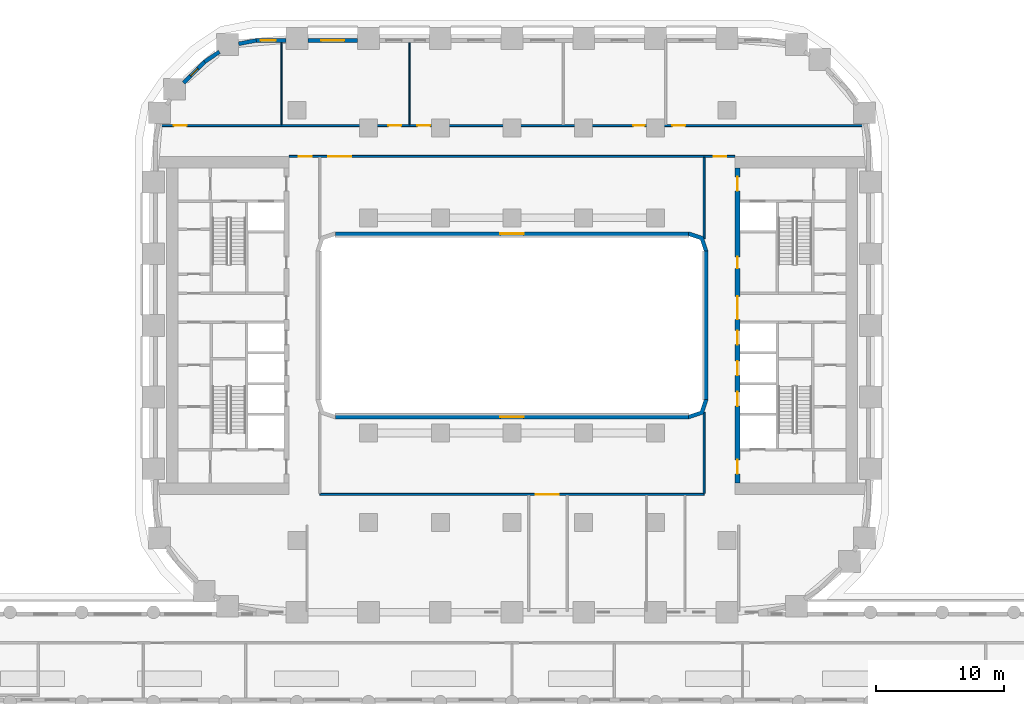
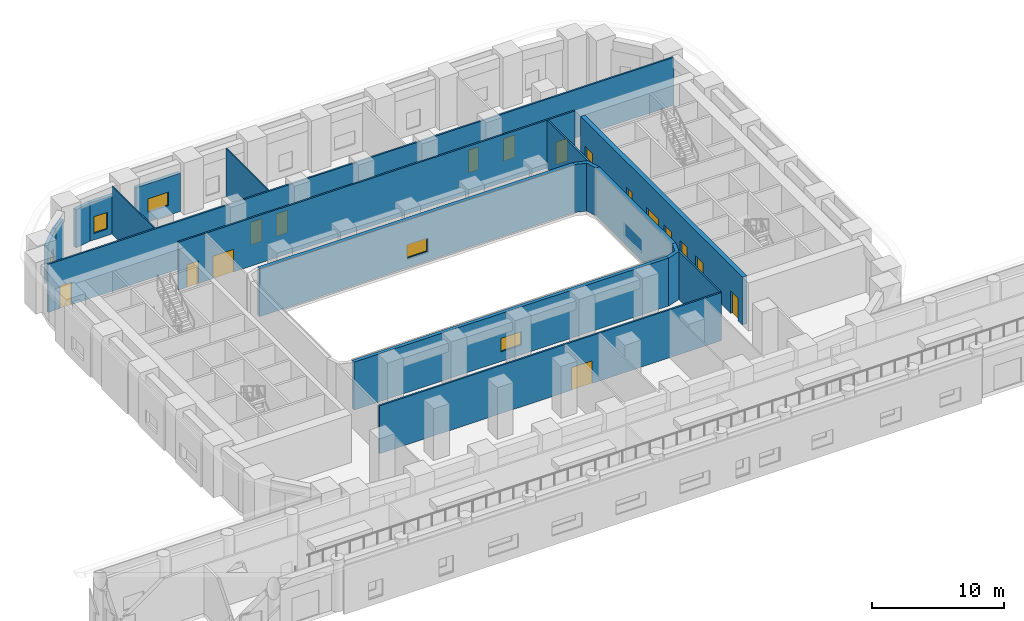
# One storey, part 6 of 13: 18 walls, 16 doors, 5 windows, 21 openings.
"""IFC4 building model written with IfcOpenShell, lengths in metres."""

from ifc_helpers import new_model, si_unit, direction, frame, frame_2d, origin, place, context, subcontext, project, spatial, polyline, rectangle, outline, extrude, material, layer, layer_set, type_object, element, fill, save


model = new_model("IFC4")

# Units and contexts
model_context = context("Model", 3, precision=1e-05, world=origin(), true_north=direction((0.0, 1.0)))
body_context = subcontext(model_context, "Body", "Model", "MODEL_VIEW")
ifc_project = project(units=[si_unit("LENGTHUNIT", "METRE"), si_unit("AREAUNIT", "SQUARE_METRE"), si_unit("VOLUMEUNIT", "CUBIC_METRE"), si_unit("PLANEANGLEUNIT", "RADIAN"), si_unit("MASSUNIT", "GRAM", prefix="KILO")], contexts=[model_context])

# Site, building, storey
site_placement = place(None, origin())
site = spatial("IfcSite", under=ifc_project, at=site_placement, CompositionType="ELEMENT")
building_placement = place(site_placement, origin())
building = spatial("IfcBuilding", under=site, at=building_placement, Name="Kiln Ring Residences", CompositionType="ELEMENT")
storey_placement = place(building_placement, frame((0.0, 0.0, 25.699951171875)))
storey = spatial("IfcBuildingStorey", under=building, at=storey_placement, Name="L05", CompositionType="ELEMENT", Elevation=25.699951171875)

# Wall, openings, doors
ifc_material_1 = material(Name="Concrete C60/75", Category="concrete")
ifc_layer_1 = layer(ifc_material_1, 0.39990234375)
ifc_layer_set_1 = layer_set([ifc_layer_1], Name="CORE-WALL-RC400")
wall_type_1 = type_object("IfcWallType", Name="CORE-WALL-RC400", PredefinedType="SHEAR", material=ifc_layer_set_1)
wall_1_placement = place(storey_placement, frame((17.60009765625, -12.300048828125, 0.0), z_axis=(0.0, 0.0, 1.0), x_axis=(0.0, 1.0, 0.0)))
wall_1 = element("IfcWall", 1, at=wall_1_placement, inside=storey, type_object=wall_type_1, Name="Core wall east L05 6", PredefinedType="SHEAR", context=body_context, shape_type="SweptSolid", body=[
    extrude(rectangle(XDim=24.60009765625, YDim=0.39990234375, at=frame_2d((12.300048828125, 0.0))), origin(), (0.0, 0.0, 1.0), 4.449951171875),
])
opening_1_placement = place(wall_1_placement, frame((6.0, 0.0, 0.0)))
opening_1 = element("IfcOpeningElement", 2, at=opening_1_placement, cuts=wall_1, Name="Opening L05-CE02", PredefinedType="OPENING", context=body_context, shape_type="SweptSolid", body=[
    extrude(rectangle(XDim=1.10009765625, YDim=2.10009765625, at=frame_2d((0.550048828125, 1.050048828125))), frame((0.0, 0.2099609375, 0.0), z_axis=(0.0, -1.0, 0.0), x_axis=(1.0, 0.0, 0.0)), (0.0, 0.0, 1.0), 0.419921875),
])
opening_2_placement = place(wall_1_placement, frame((8.39990234375, 0.0, 0.0)))
opening_2 = element("IfcOpeningElement", 3, at=opening_2_placement, cuts=wall_1, Name="Opening L05-CE03", PredefinedType="OPENING", context=body_context, shape_type="SweptSolid", body=[
    extrude(rectangle(XDim=1.10009765625, YDim=2.10009765625, at=frame_2d((0.550048828125, 1.050048828125))), frame((0.0, 0.2099609375, 0.0), z_axis=(0.0, -1.0, 0.0), x_axis=(1.0, 0.0, 0.0)), (0.0, 0.0, 1.0), 0.419921875),
])
opening_3_placement = place(wall_1_placement, frame((10.800048828125, 0.0, 0.0)))
opening_3 = element("IfcOpeningElement", 4, at=opening_3_placement, cuts=wall_1, Name="Opening L05-CE04", PredefinedType="OPENING", context=body_context, shape_type="SweptSolid", body=[
    extrude(rectangle(XDim=1.10009765625, YDim=2.10009765625, at=frame_2d((0.550048828125, 1.050048828125))), frame((0.0, 0.2099609375, 0.0), z_axis=(0.0, -1.0, 0.0), x_axis=(1.0, 0.0, 0.0)), (0.0, 0.0, 1.0), 0.419921875),
])
opening_4_placement = place(wall_1_placement, frame((16.75, 0.0, 0.0)))
opening_4 = element("IfcOpeningElement", 5, at=opening_4_placement, cuts=wall_1, Name="Opening L05-CE05", PredefinedType="OPENING", context=body_context, shape_type="SweptSolid", body=[
    extrude(rectangle(XDim=0.89990234375, YDim=2.10009765625, at=frame_2d((0.449951171875, 1.050048828125))), frame((0.0, 0.2099609375, 0.0), z_axis=(0.0, -1.0, 0.0), x_axis=(1.0, 0.0, 0.0)), (0.0, 0.0, 1.0), 0.419921875),
])
opening_5_placement = place(wall_1_placement, frame((22.800048828125, 0.0, 0.0)))
opening_5 = element("IfcOpeningElement", 6, at=opening_5_placement, cuts=wall_1, Name="Opening L05-CE07", PredefinedType="OPENING", context=body_context, shape_type="SweptSolid", body=[
    extrude(rectangle(XDim=1.10009765625, YDim=2.10009765625, at=frame_2d((0.550048828125, 1.050048828125))), frame((0.0, 0.2099609375, 0.0), z_axis=(0.0, -1.0, 0.0), x_axis=(1.0, 0.0, 0.0)), (0.0, 0.0, 1.0), 0.419921875),
])
opening_6_placement = place(wall_1_placement, frame((0.699951171875, 0.0, 0.0)))
opening_6 = element("IfcOpeningElement", 7, at=opening_6_placement, cuts=wall_1, Name="Opening L05-CE08", PredefinedType="OPENING", context=body_context, shape_type="SweptSolid", body=[
    extrude(rectangle(XDim=1.10009765625, YDim=2.10009765625, at=frame_2d((0.550048828125, 1.050048828125))), frame((0.0, 0.2099609375, 0.0), z_axis=(0.0, -1.0, 0.0), x_axis=(1.0, 0.0, 0.0)), (0.0, 0.0, 1.0), 0.419921875),
])
opening_7_placement = place(wall_1_placement, frame((12.77490234375, 0.0, 0.0)))
opening_7 = element("IfcOpeningElement", 8, at=opening_7_placement, cuts=wall_1, Name="Opening L05-CE13", PredefinedType="OPENING", context=body_context, shape_type="SweptSolid", body=[
    extrude(rectangle(XDim=1.800048828125, YDim=2.10009765625, at=frame_2d((0.89990234375, 1.050048828125))), frame((0.0, 0.2099609375, 0.0), z_axis=(0.0, -1.0, 0.0), x_axis=(1.0, 0.0, 0.0)), (0.0, 0.0, 1.0), 0.419921875),
])
ifc_material_2 = material(Name="Steel door leaf", Category="steel")
door_type_1 = type_object("IfcDoorType", Name="CORE-DOOR-LD", OperationType="DOUBLE_DOOR_SLIDING", PredefinedType="DOOR", material=ifc_material_2)
door_1_placement = place(opening_1_placement, origin())
door_1 = element("IfcDoor", 9, at=door_1_placement, inside=storey, type_object=door_type_1, Name="LD E-L1 L05-CE02", OperationType="DOUBLE_DOOR_SLIDING", OverallHeight=2.10009765625, OverallWidth=1.10009765625, PredefinedType="DOOR", context=body_context, shape_type="SweptSolid", body=[
    extrude(rectangle(XDim=1.10009765625, YDim=2.10009765625, at=frame_2d((0.550048828125, 1.050048828125))), frame((0.0, 0.02490234375, 0.0), z_axis=(0.0, -1.0, 0.0), x_axis=(1.0, 0.0, 0.0)), (0.0, 0.0, 1.0), 0.050048828125),
])
fill(opening_1, door_1)
door_2_placement = place(opening_2_placement, origin())
door_2 = element("IfcDoor", 10, at=door_2_placement, inside=storey, type_object=door_type_1, Name="LD E-L2 L05-CE03", OperationType="DOUBLE_DOOR_SLIDING", OverallHeight=2.10009765625, OverallWidth=1.10009765625, PredefinedType="DOOR", context=body_context, shape_type="SweptSolid", body=[
    extrude(rectangle(XDim=1.10009765625, YDim=2.10009765625, at=frame_2d((0.550048828125, 1.050048828125))), frame((0.0, 0.02490234375, 0.0), z_axis=(0.0, -1.0, 0.0), x_axis=(1.0, 0.0, 0.0)), (0.0, 0.0, 1.0), 0.050048828125),
])
fill(opening_2, door_2)
door_3_placement = place(opening_3_placement, origin())
door_3 = element("IfcDoor", 11, at=door_3_placement, inside=storey, type_object=door_type_1, Name="LD E-L3 L05-CE04", OperationType="DOUBLE_DOOR_SLIDING", OverallHeight=2.10009765625, OverallWidth=1.10009765625, PredefinedType="DOOR", context=body_context, shape_type="SweptSolid", body=[
    extrude(rectangle(XDim=1.10009765625, YDim=2.10009765625, at=frame_2d((0.550048828125, 1.050048828125))), frame((0.0, 0.02490234375, 0.0), z_axis=(0.0, -1.0, 0.0), x_axis=(1.0, 0.0, 0.0)), (0.0, 0.0, 1.0), 0.050048828125),
])
fill(opening_3, door_3)
ifc_material_3 = material(Name="Steel door leaf", Category="steel")
door_type_2 = type_object("IfcDoorType", Name="CORE-DOOR-LOBBY", OperationType="SINGLE_SWING_LEFT", PredefinedType="DOOR", material=ifc_material_3)
door_4_placement = place(opening_5_placement, origin())
door_4 = element("IfcDoor", 12, at=door_4_placement, inside=storey, type_object=door_type_2, Name="FFL L05-CE07", OperationType="SINGLE_SWING_LEFT", OverallHeight=2.10009765625, OverallWidth=1.10009765625, PredefinedType="DOOR", context=body_context, shape_type="SweptSolid", body=[
    extrude(rectangle(XDim=1.10009765625, YDim=2.10009765625, at=frame_2d((0.550048828125, 1.050048828125))), frame((0.0, 0.02490234375, 0.0), z_axis=(0.0, -1.0, 0.0), x_axis=(1.0, 0.0, 0.0)), (0.0, 0.0, 1.0), 0.050048828125),
])
fill(opening_5, door_4)
door_5_placement = place(opening_6_placement, origin())
door_5 = element("IfcDoor", 13, at=door_5_placement, inside=storey, type_object=door_type_2, Name="SVL L05-CE08", OperationType="SINGLE_SWING_RIGHT", OverallHeight=2.10009765625, OverallWidth=1.10009765625, PredefinedType="DOOR", context=body_context, shape_type="SweptSolid", body=[
    extrude(rectangle(XDim=1.10009765625, YDim=2.10009765625, at=frame_2d((0.550048828125, 1.050048828125))), frame((0.0, 0.02490234375, 0.0), z_axis=(0.0, -1.0, 0.0), x_axis=(1.0, 0.0, 0.0)), (0.0, 0.0, 1.0), 0.050048828125),
])
fill(opening_6, door_5)
ifc_material_4 = material(Name="Steel door leaf", Category="steel")
door_type_3 = type_object("IfcDoorType", Name="CORE-DOOR-PASS", OperationType="DOUBLE_DOOR_SINGLE_SWING", PredefinedType="DOOR", material=ifc_material_4)
door_6_placement = place(opening_7_placement, origin())
door_6 = element("IfcDoor", 14, at=door_6_placement, inside=storey, type_object=door_type_3, Name="Core passage L05-CE13", OperationType="DOUBLE_DOOR_SINGLE_SWING", OverallHeight=2.10009765625, OverallWidth=1.800048828125, PredefinedType="DOOR", context=body_context, shape_type="SweptSolid", body=[
    extrude(rectangle(XDim=1.800048828125, YDim=2.10009765625, at=frame_2d((0.89990234375, 1.050048828125))), frame((0.0, 0.02490234375, 0.0), z_axis=(0.0, -1.0, 0.0), x_axis=(1.0, 0.0, 0.0)), (0.0, 0.0, 1.0), 0.050048828125),
])
fill(opening_7, door_6)
ifc_material_5 = material(Name="Steel door leaf", Category="steel")
door_type_4 = type_object("IfcDoorType", Name="CORE-DOOR-ROOM", OperationType="SINGLE_SWING_LEFT", PredefinedType="DOOR", material=ifc_material_5)
door_7_placement = place(opening_4_placement, origin())
door_7 = element("IfcDoor", 15, at=door_7_placement, inside=storey, type_object=door_type_4, Name="Housekeeping store L05-CE05", OperationType="SINGLE_SWING_RIGHT", OverallHeight=2.10009765625, OverallWidth=0.89990234375, PredefinedType="DOOR", context=body_context, shape_type="SweptSolid", body=[
    extrude(rectangle(XDim=0.89990234375, YDim=2.10009765625, at=frame_2d((0.449951171875, 1.050048828125))), frame((0.0, 0.02490234375, 0.0), z_axis=(0.0, -1.0, 0.0), x_axis=(1.0, 0.0, 0.0)), (0.0, 0.0, 1.0), 0.050048828125),
])
fill(opening_4, door_7)

# Wall, opening, window
ifc_material_6 = material(Name="Brick masonry, dark clay brick", Category="masonry")
ifc_layer_2 = layer(ifc_material_6, 0.300048828125)
ifc_layer_set_2 = layer_set([ifc_layer_2], Name="EW-300 BRICK WALL")
wall_type_2 = type_object("IfcWallType", Name="EW-300 BRICK WALL", PredefinedType="SOLIDWALL", material=ifc_layer_set_2)
wall_2_placement = place(storey_placement, frame((-12.050048828125, 22.25, 0.0), z_axis=(0.0, 0.0, 1.0), x_axis=(-1.0, 0.0, 0.0)))
wall_2 = element("IfcWall", 16, at=wall_2_placement, inside=storey, type_object=wall_type_2, Name="Facade wall L05 29", PredefinedType="SOLIDWALL", context=body_context, shape_type="SweptSolid", body=[
    extrude(rectangle(XDim=3.89990234375, YDim=0.300048828125, at=frame_2d((1.949951171875, 0.0))), origin(), (0.0, 0.0, 1.0), 3.550048828125),
])
opening_8_placement = place(wall_2_placement, frame((1.050048828125, 0.0, 0.89990234375)))
opening_8 = element("IfcOpeningElement", 17, at=opening_8_placement, cuts=wall_2, Name="Opening W2", PredefinedType="OPENING", context=body_context, shape_type="SweptSolid", body=[
    extrude(rectangle(XDim=1.800048828125, YDim=1.25, at=frame_2d((0.89990234375, 0.625))), frame((0.0, 0.159912109375, 0.0), z_axis=(0.0, -1.0, 0.0), x_axis=(1.0, 0.0, 0.0)), (0.0, 0.0, 1.0), 0.320068359375),
])
ifc_material_7 = material(Name="Aluminium frame with double glazing", Category="aluminium")
window_type_1 = type_object("IfcWindowType", Name="WINDOW 1800 x 1250", PartitioningType="SINGLE_PANEL", PredefinedType="WINDOW", material=ifc_material_7)
window_1_placement = place(opening_8_placement, origin())
window_1 = element("IfcWindow", 18, at=window_1_placement, inside=storey, type_object=window_type_1, Name="Window L05 16", OverallHeight=1.25, OverallWidth=1.800048828125, PartitioningType="SINGLE_PANEL", PredefinedType="WINDOW", context=body_context, shape_type="SweptSolid", body=[
    extrude(rectangle(XDim=1.800048828125, YDim=1.25, at=frame_2d((0.89990234375, 0.625))), frame((0.0, 0.030029296875, 0.0), z_axis=(0.0, -1.0, 0.0), x_axis=(1.0, 0.0, 0.0)), (0.0, 0.0, 1.0), 0.06005859375),
])
fill(opening_8, window_1)

wall_3_placement = place(storey_placement, frame((-17.64990234375, 22.25, 0.0), z_axis=(0.0, 0.0, 1.0), x_axis=(-1.0, 0.0, 0.0)))
wall_3 = element("IfcWall", 19, at=wall_3_placement, inside=storey, type_object=wall_type_2, Name="Facade wall L05 30", PredefinedType="SOLIDWALL", context=body_context, shape_type="SweptSolid", body=[
    extrude(rectangle(XDim=2.35009765625, YDim=0.300048828125, at=frame_2d((1.175048828125, 0.0))), origin(), (0.0, 0.0, 1.0), 3.550048828125),
])
opening_9_placement = place(wall_3_placement, frame((0.78759765625, 0.0, 0.60009765625)))
opening_9 = element("IfcOpeningElement", 20, at=opening_9_placement, cuts=wall_3, Name="Opening W1", PredefinedType="OPENING", context=body_context, shape_type="SweptSolid", body=[
    extrude(rectangle(XDim=1.199951171875, YDim=1.550048828125, at=frame_2d((0.60009765625, 0.77490234375))), frame((0.0, 0.159912109375, 0.0), z_axis=(0.0, -1.0, 0.0), x_axis=(1.0, 0.0, 0.0)), (0.0, 0.0, 1.0), 0.320068359375),
])
ifc_material_8 = material(Name="Aluminium frame with double glazing", Category="aluminium")
window_type_2 = type_object("IfcWindowType", Name="WINDOW 1200 x 1550", PartitioningType="SINGLE_PANEL", PredefinedType="WINDOW", material=ifc_material_8)
window_2_placement = place(opening_9_placement, origin())
window_2 = element("IfcWindow", 21, at=window_2_placement, inside=storey, type_object=window_type_2, Name="Window L05 17", OverallHeight=1.550048828125, OverallWidth=1.199951171875, PartitioningType="SINGLE_PANEL", PredefinedType="WINDOW", context=body_context, shape_type="SweptSolid", body=[
    extrude(rectangle(XDim=1.199951171875, YDim=1.550048828125, at=frame_2d((0.60009765625, 0.77490234375))), frame((0.0, 0.030029296875, 0.0), z_axis=(0.0, -1.0, 0.0), x_axis=(1.0, 0.0, 0.0)), (0.0, 0.0, 1.0), 0.06005859375),
])
fill(opening_9, window_2)

# Walls
for number, where, z_axis, x_axis, name in (
    (22, (-19.971923828125, 22.252685546875, 0.0), (0.0, 0.0, 1.0), (-0.98229142023, -0.187359455971, 0.0), "Facade wall L05 31"),
    (23, (-22.849853515625, 21.369140625, 0.0), (0.0, 0.0, 1.0), (-0.827075041075, -0.562091519622, 0.0), "Facade wall L05 32"),
):
    element("IfcWall", number, at=place(storey_placement, frame(where, z_axis=z_axis, x_axis=x_axis)), inside=storey, type_object=wall_type_2, Name=name, PredefinedType="SOLIDWALL", context=body_context, shape_type="SweptSolid", body=[
        extrude(rectangle(XDim=1.406005859375, YDim=0.300048828125, at=frame_2d((0.703125, 0.0))), origin(), (0.0, 0.0, 1.0), 3.550048828125),
    ])

# Wall, opening, window
wall_4_placement = place(storey_placement, frame((-23.990966796875, 20.596923828125, 0.0), z_axis=(0.0, 0.0, 1.0), x_axis=(-0.707054835785, -0.707158722772, 0.0)))
wall_4 = element("IfcWall", 24, at=wall_4_placement, inside=storey, type_object=wall_type_2, Name="Facade wall L05 33", PredefinedType="SOLIDWALL", context=body_context, shape_type="SweptSolid", body=[
    extrude(rectangle(XDim=2.35009765625, YDim=0.300048828125, at=frame_2d((1.175048828125, 0.0))), origin(), (0.0, 0.0, 1.0), 3.550048828125),
])
opening_10_placement = place(wall_4_placement, frame((0.77490234375, 0.0, 0.60009765625)))
opening_10 = element("IfcOpeningElement", 25, at=opening_10_placement, cuts=wall_4, Name="Opening W5", PredefinedType="OPENING", context=body_context, shape_type="SweptSolid", body=[
    extrude(rectangle(XDim=0.800048828125, YDim=1.550048828125, at=frame_2d((0.39990234375, 0.77490234375))), frame((0.0, 0.159912109375, 0.0), z_axis=(0.0, -1.0, 0.0), x_axis=(1.0, 0.0, 0.0)), (0.0, 0.0, 1.0), 0.320068359375),
])
ifc_material_9 = material(Name="Aluminium frame with double glazing", Category="aluminium")
window_type_3 = type_object("IfcWindowType", Name="WINDOW 800 x 1550", PartitioningType="SINGLE_PANEL", PredefinedType="WINDOW", material=ifc_material_9)
window_3_placement = place(opening_10_placement, origin())
window_3 = element("IfcWindow", 26, at=window_3_placement, inside=storey, type_object=window_type_3, Name="Window L05 18", OverallHeight=1.550048828125, OverallWidth=0.800048828125, PartitioningType="SINGLE_PANEL", PredefinedType="WINDOW", context=body_context, shape_type="SweptSolid", body=[
    extrude(rectangle(XDim=0.800048828125, YDim=1.550048828125, at=frame_2d((0.39990234375, 0.77490234375))), frame((0.0, 0.030029296875, 0.0), z_axis=(0.0, -1.0, 0.0), x_axis=(1.0, 0.0, 0.0)), (0.0, 0.0, 1.0), 0.06005859375),
])
fill(opening_10, window_3)

wall_5_placement = place(storey_placement, frame((-13.800048828125, 7.14990234375, 0.0), z_axis=(0.0, 0.0, 1.0), x_axis=(1.0, 0.0, 0.0)))
wall_5 = element("IfcWall", 27, at=wall_5_placement, inside=storey, type_object=wall_type_2, Name="Facade wall L05 70", PredefinedType="SOLIDWALL", context=body_context, shape_type="SweptSolid", body=[
    extrude(rectangle(XDim=27.60009765625, YDim=0.300048828125, at=frame_2d((13.800048828125, 0.0))), origin(), (0.0, 0.0, 1.0), 4.449951171875),
])
opening_11_placement = place(wall_5_placement, frame((12.89990234375, 0.0, 0.89990234375)))
opening_11 = element("IfcOpeningElement", 28, at=opening_11_placement, cuts=wall_5, Name="Opening W2", PredefinedType="OPENING", context=body_context, shape_type="SweptSolid", body=[
    extrude(rectangle(XDim=1.800048828125, YDim=1.25, at=frame_2d((0.89990234375, 0.625))), frame((0.0, 0.159912109375, 0.0), z_axis=(0.0, -1.0, 0.0), x_axis=(1.0, 0.0, 0.0)), (0.0, 0.0, 1.0), 0.320068359375),
])
window_4_placement = place(opening_11_placement, origin())
window_4 = element("IfcWindow", 29, at=window_4_placement, inside=storey, type_object=window_type_1, Name="Window L05 43", OverallHeight=1.25, OverallWidth=1.800048828125, PartitioningType="SINGLE_PANEL", PredefinedType="WINDOW", context=body_context, shape_type="SweptSolid", body=[
    extrude(rectangle(XDim=1.800048828125, YDim=1.25, at=frame_2d((0.89990234375, 0.625))), frame((0.0, 0.030029296875, 0.0), z_axis=(0.0, -1.0, 0.0), x_axis=(1.0, 0.0, 0.0)), (0.0, 0.0, 1.0), 0.06005859375),
])
fill(opening_11, window_4)

# Wall
wall_6_placement = place(storey_placement, frame((15.14990234375, 5.800048828125, 0.0), z_axis=(0.0, 0.0, 1.0), x_axis=(0.0, -1.0, 0.0)))
element("IfcWall", 30, at=wall_6_placement, inside=storey, type_object=wall_type_2, Name="Facade wall L05 71", PredefinedType="SOLIDWALL", context=body_context, shape_type="SweptSolid", body=[
    extrude(rectangle(XDim=11.60009765625, YDim=0.300048828125, at=frame_2d((5.800048828125, 0.0))), origin(), (0.0, 0.0, 1.0), 4.449951171875),
])

# Wall, opening, window
wall_7_placement = place(storey_placement, frame((13.800048828125, -7.14990234375, 0.0), z_axis=(0.0, 0.0, 1.0), x_axis=(-1.0, 0.0, 0.0)))
wall_7 = element("IfcWall", 31, at=wall_7_placement, inside=storey, type_object=wall_type_2, Name="Facade wall L05 72", PredefinedType="SOLIDWALL", context=body_context, shape_type="SweptSolid", body=[
    extrude(rectangle(XDim=27.60009765625, YDim=0.300048828125, at=frame_2d((13.800048828125, 0.0))), origin(), (0.0, 0.0, 1.0), 4.449951171875),
])
opening_12_placement = place(wall_7_placement, frame((12.89990234375, 0.0, 0.89990234375)))
opening_12 = element("IfcOpeningElement", 32, at=opening_12_placement, cuts=wall_7, Name="Opening W2", PredefinedType="OPENING", context=body_context, shape_type="SweptSolid", body=[
    extrude(rectangle(XDim=1.800048828125, YDim=1.25, at=frame_2d((0.89990234375, 0.625))), frame((0.0, 0.159912109375, 0.0), z_axis=(0.0, -1.0, 0.0), x_axis=(1.0, 0.0, 0.0)), (0.0, 0.0, 1.0), 0.320068359375),
])
window_5_placement = place(opening_12_placement, origin())
window_5 = element("IfcWindow", 33, at=window_5_placement, inside=storey, type_object=window_type_1, Name="Window L05 44", OverallHeight=1.25, OverallWidth=1.800048828125, PartitioningType="SINGLE_PANEL", PredefinedType="WINDOW", context=body_context, shape_type="SweptSolid", body=[
    extrude(rectangle(XDim=1.800048828125, YDim=1.25, at=frame_2d((0.89990234375, 0.625))), frame((0.0, 0.030029296875, 0.0), z_axis=(0.0, -1.0, 0.0), x_axis=(1.0, 0.0, 0.0)), (0.0, 0.0, 1.0), 0.06005859375),
])
fill(opening_12, window_5)

# Walls
placement = place(storey_placement, origin())
element("IfcWall", 34, at=placement, inside=storey, type_object=wall_type_2, Name="Corner wall L05 4", PredefinedType="SOLIDWALL", context=body_context, shape_type="SweptSolid", body=[
    extrude(outline(polyline([(14.937255859375, 6.937255859375), (13.8486328125, 7.300048828125), (13.800048828125, 7.300048828125), (13.800048828125, 7.0), (14.699951171875, 6.699951171875), (15.0, 5.800048828125), (15.300048828125, 5.800048828125), (15.300048828125, 5.8486328125), (14.937255859375, 6.937255859375)])), origin(), (0.0, 0.0, 1.0), 4.449951171875),
])
element("IfcWall", 35, at=placement, inside=storey, type_object=wall_type_2, Name="Corner wall L05 5", PredefinedType="SOLIDWALL", context=body_context, shape_type="SweptSolid", body=[
    extrude(outline(polyline([(14.937255859375, -6.937255859375), (15.300048828125, -5.8486328125), (15.300048828125, -5.800048828125), (15.0, -5.800048828125), (14.699951171875, -6.699951171875), (13.800048828125, -7.0), (13.800048828125, -7.300048828125), (13.8486328125, -7.300048828125), (14.937255859375, -6.937255859375)])), origin(), (0.0, 0.0, 1.0), 4.449951171875),
])
ifc_material_10 = material(Name="Gypsum board on steel studs", Category="steel")
ifc_layer_3 = layer(ifc_material_10, 0.10009765625)
ifc_layer_set_3 = layer_set([ifc_layer_3], Name="PARTITION-100")
wall_type_3 = type_object("IfcWallType", Name="PARTITION-100", PredefinedType="PARTITIONING", material=ifc_layer_set_3)
for number, where, z_axis, x_axis, name in (
    (36, (-18.0, 15.675048828125, 0.0), (0.0, 0.0, 1.0), (0.0, 1.0, 0.0), "Partition 012"),
    (37, (-8.0, 15.675048828125, 0.0), (0.0, 0.0, 1.0), (0.0, 1.0, 0.0), "Partition 016"),
):
    element("IfcWall", number, at=place(storey_placement, frame(where, z_axis=z_axis, x_axis=x_axis)), inside=storey, type_object=wall_type_3, Name=name, PredefinedType="PARTITIONING", context=body_context, shape_type="SweptSolid", body=[
        extrude(rectangle(XDim=6.405029296875, YDim=0.10009765625, at=frame_2d((3.20263671875, 0.0))), origin(), (0.0, 0.0, 1.0), 4.449951171875),
    ])

# Wall, opening, door
ifc_material_11 = material(Name="Brick masonry partition", Category="masonry")
ifc_layer_4 = layer(ifc_material_11, 0.14990234375)
ifc_layer_set_4 = layer_set([ifc_layer_4], Name="PARTITION-150-ei60")
wall_type_4 = type_object("IfcWallType", Name="PARTITION-150-ei60", PredefinedType="PARTITIONING", material=ifc_layer_set_4)
wall_10_placement = place(storey_placement, frame((-15.0048828125, -13.199951171875, 0.0), z_axis=(0.0, 0.0, 1.0), x_axis=(1.0, 0.0, 0.0)))
wall_10 = element("IfcWall", 38, at=wall_10_placement, inside=storey, type_object=wall_type_4, Name="Partition 006", PredefinedType="PARTITIONING", context=body_context, shape_type="SweptSolid", body=[
    extrude(rectangle(XDim=30.009765625, YDim=0.14990234375, at=frame_2d((15.0048828125, 0.0))), origin(), (0.0, 0.0, 1.0), 4.449951171875),
])
opening_13_placement = place(wall_10_placement, frame((16.85498046875, 0.0, 0.0)))
opening_13 = element("IfcOpeningElement", 39, at=opening_13_placement, cuts=wall_10, Name="Opening L05-D004", PredefinedType="OPENING", context=body_context, shape_type="SweptSolid", body=[
    extrude(rectangle(XDim=1.800048828125, YDim=2.10009765625, at=frame_2d((0.89990234375, 1.050048828125))), frame((0.0, 0.0849609375, 0.0), z_axis=(0.0, -1.0, 0.0), x_axis=(1.0, 0.0, 0.0)), (0.0, 0.0, 1.0), 0.169921875),
])
ifc_material_12 = material(Name="Steel faced fire door leaf", Category="steel")
door_type_5 = type_object("IfcDoorType", Name="FLAT-DOOR-1800-FR", OperationType="SINGLE_SWING_LEFT", PredefinedType="DOOR", material=ifc_material_12)
door_8_placement = place(opening_13_placement, origin())
door_8 = element("IfcDoor", 40, at=door_8_placement, inside=storey, type_object=door_type_5, Name="Door L05-D004", OperationType="SINGLE_SWING_RIGHT", OverallHeight=2.10009765625, OverallWidth=1.800048828125, PredefinedType="DOOR", context=body_context, shape_type="SweptSolid", body=[
    extrude(rectangle(XDim=1.800048828125, YDim=2.10009765625, at=frame_2d((0.89990234375, 1.050048828125))), frame((0.0, 0.02490234375, 0.0), z_axis=(0.0, -1.0, 0.0), x_axis=(1.0, 0.0, 0.0)), (0.0, 0.0, 1.0), 0.050048828125),
])
fill(opening_13, door_8)

# Wall, openings, doors
wall_11_placement = place(storey_placement, frame((-17.39990234375, 13.199951171875, 0.0), z_axis=(0.0, 0.0, 1.0), x_axis=(1.0, 0.0, 0.0)))
wall_11 = element("IfcWall", 41, at=wall_11_placement, inside=storey, type_object=wall_type_4, Name="Partition 007", PredefinedType="PARTITIONING", context=body_context, shape_type="SweptSolid", body=[
    extrude(rectangle(XDim=34.7998046875, YDim=0.14990234375, at=frame_2d((17.39990234375, 0.0))), origin(), (0.0, 0.0, 1.0), 4.449951171875),
])
opening_14_placement = place(wall_11_placement, frame((3.050048828125, 0.0, 0.0)))
opening_14 = element("IfcOpeningElement", 42, at=opening_14_placement, cuts=wall_11, Name="Opening L05-D001", PredefinedType="OPENING", context=body_context, shape_type="SweptSolid", body=[
    extrude(rectangle(XDim=1.800048828125, YDim=2.10009765625, at=frame_2d((0.89990234375, 1.050048828125))), frame((0.0, 0.0849609375, 0.0), z_axis=(0.0, -1.0, 0.0), x_axis=(1.0, 0.0, 0.0)), (0.0, 0.0, 1.0), 0.169921875),
])
opening_15_placement = place(wall_11_placement, frame((0.75, 0.0, 0.0)))
opening_15 = element("IfcOpeningElement", 43, at=opening_15_placement, cuts=wall_11, Name="Opening L05-D002", PredefinedType="OPENING", context=body_context, shape_type="SweptSolid", body=[
    extrude(rectangle(XDim=1.0, YDim=2.10009765625, at=frame_2d((0.5, 1.050048828125))), frame((0.0, 0.0849609375, 0.0), z_axis=(0.0, -1.0, 0.0), x_axis=(1.0, 0.0, 0.0)), (0.0, 0.0, 1.0), 0.169921875),
])
opening_16_placement = place(wall_11_placement, frame((33.14990234375, 0.0, 0.0)))
opening_16 = element("IfcOpeningElement", 44, at=opening_16_placement, cuts=wall_11, Name="Opening L05-D003", PredefinedType="OPENING", context=body_context, shape_type="SweptSolid", body=[
    extrude(rectangle(XDim=1.0, YDim=2.10009765625, at=frame_2d((0.5, 1.050048828125))), frame((0.0, 0.0849609375, 0.0), z_axis=(0.0, -1.0, 0.0), x_axis=(1.0, 0.0, 0.0)), (0.0, 0.0, 1.0), 0.169921875),
])
ifc_material_13 = material(Name="Steel faced fire door leaf", Category="steel")
door_type_6 = type_object("IfcDoorType", Name="FLAT-DOOR-1000-FR", OperationType="SINGLE_SWING_LEFT", PredefinedType="DOOR", material=ifc_material_13)
door_9_placement = place(opening_15_placement, origin())
door_9 = element("IfcDoor", 45, at=door_9_placement, inside=storey, type_object=door_type_6, Name="Door L05-D002", OperationType="SINGLE_SWING_LEFT", OverallHeight=2.10009765625, OverallWidth=1.0, PredefinedType="DOOR", context=body_context, shape_type="SweptSolid", body=[
    extrude(rectangle(XDim=1.0, YDim=2.10009765625, at=frame_2d((0.5, 1.050048828125))), frame((0.0, 0.02490234375, 0.0), z_axis=(0.0, -1.0, 0.0), x_axis=(1.0, 0.0, 0.0)), (0.0, 0.0, 1.0), 0.050048828125),
])
fill(opening_15, door_9)
door_10_placement = place(opening_16_placement, origin())
door_10 = element("IfcDoor", 46, at=door_10_placement, inside=storey, type_object=door_type_6, Name="Door L05-D003", OperationType="SINGLE_SWING_RIGHT", OverallHeight=2.10009765625, OverallWidth=1.0, PredefinedType="DOOR", context=body_context, shape_type="SweptSolid", body=[
    extrude(rectangle(XDim=1.0, YDim=2.10009765625, at=frame_2d((0.5, 1.050048828125))), frame((0.0, 0.02490234375, 0.0), z_axis=(0.0, -1.0, 0.0), x_axis=(1.0, 0.0, 0.0)), (0.0, 0.0, 1.0), 0.050048828125),
])
fill(opening_16, door_10)
door_11_placement = place(opening_14_placement, origin())
door_11 = element("IfcDoor", 47, at=door_11_placement, inside=storey, type_object=door_type_5, Name="Door L05-D001", OperationType="SINGLE_SWING_LEFT", OverallHeight=2.10009765625, OverallWidth=1.800048828125, PredefinedType="DOOR", context=body_context, shape_type="SweptSolid", body=[
    extrude(rectangle(XDim=1.800048828125, YDim=2.10009765625, at=frame_2d((0.89990234375, 1.050048828125))), frame((0.0, 0.02490234375, 0.0), z_axis=(0.0, -1.0, 0.0), x_axis=(1.0, 0.0, 0.0)), (0.0, 0.0, 1.0), 0.050048828125),
])
fill(opening_14, door_11)

wall_12_placement = place(storey_placement, frame((-27.44580078125, 15.60009765625, 0.0), z_axis=(0.0, 0.0, 1.0), x_axis=(1.0, 0.0, 0.0)))
wall_12 = element("IfcWall", 48, at=wall_12_placement, inside=storey, type_object=wall_type_4, Name="Partition 008", PredefinedType="PARTITIONING", context=body_context, shape_type="SweptSolid", body=[
    extrude(rectangle(XDim=54.8916015625, YDim=0.14990234375, at=frame_2d((27.44580078125, 0.0))), origin(), (0.0, 0.0, 1.0), 4.449951171875),
])
opening_17_placement = place(wall_12_placement, frame((1.045654296875, 0.0, 0.0)))
opening_17 = element("IfcOpeningElement", 49, at=opening_17_placement, cuts=wall_12, Name="Opening L05-D020", PredefinedType="OPENING", context=body_context, shape_type="SweptSolid", body=[
    extrude(rectangle(XDim=1.0, YDim=2.10009765625, at=frame_2d((0.5, 1.050048828125))), frame((0.0, 0.0849609375, 0.0), z_axis=(0.0, -1.0, 0.0), x_axis=(1.0, 0.0, 0.0)), (0.0, 0.0, 1.0), 0.169921875),
])
opening_18_placement = place(wall_12_placement, frame((17.795654296875, 0.0, 0.0)))
opening_18 = element("IfcOpeningElement", 50, at=opening_18_placement, cuts=wall_12, Name="Opening L05-D021", PredefinedType="OPENING", context=body_context, shape_type="SweptSolid", body=[
    extrude(rectangle(XDim=1.0, YDim=2.10009765625, at=frame_2d((0.5, 1.050048828125))), frame((0.0, 0.0849609375, 0.0), z_axis=(0.0, -1.0, 0.0), x_axis=(1.0, 0.0, 0.0)), (0.0, 0.0, 1.0), 0.169921875),
])
opening_19_placement = place(wall_12_placement, frame((20.045654296875, 0.0, 0.0)))
opening_19 = element("IfcOpeningElement", 51, at=opening_19_placement, cuts=wall_12, Name="Opening L05-D022", PredefinedType="OPENING", context=body_context, shape_type="SweptSolid", body=[
    extrude(rectangle(XDim=1.0, YDim=2.10009765625, at=frame_2d((0.5, 1.050048828125))), frame((0.0, 0.0849609375, 0.0), z_axis=(0.0, -1.0, 0.0), x_axis=(1.0, 0.0, 0.0)), (0.0, 0.0, 1.0), 0.169921875),
])
opening_20_placement = place(wall_12_placement, frame((36.895751953125, 0.0, 0.0)))
opening_20 = element("IfcOpeningElement", 52, at=opening_20_placement, cuts=wall_12, Name="Opening L05-D023", PredefinedType="OPENING", context=body_context, shape_type="SweptSolid", body=[
    extrude(rectangle(XDim=0.89990234375, YDim=2.10009765625, at=frame_2d((0.449951171875, 1.050048828125))), frame((0.0, 0.0849609375, 0.0), z_axis=(0.0, -1.0, 0.0), x_axis=(1.0, 0.0, 0.0)), (0.0, 0.0, 1.0), 0.169921875),
])
opening_21_placement = place(wall_12_placement, frame((39.974609375, 0.0, 0.0)))
opening_21 = element("IfcOpeningElement", 53, at=opening_21_placement, cuts=wall_12, Name="Opening L05-D024", PredefinedType="OPENING", context=body_context, shape_type="SweptSolid", body=[
    extrude(rectangle(XDim=1.0, YDim=2.10009765625, at=frame_2d((0.5, 1.050048828125))), frame((0.0, 0.0849609375, 0.0), z_axis=(0.0, -1.0, 0.0), x_axis=(1.0, 0.0, 0.0)), (0.0, 0.0, 1.0), 0.169921875),
])
door_12_placement = place(opening_17_placement, origin())
door_12 = element("IfcDoor", 54, at=door_12_placement, inside=storey, type_object=door_type_6, Name="Door L05-D020", OperationType="SINGLE_SWING_RIGHT", OverallHeight=2.10009765625, OverallWidth=1.0, PredefinedType="DOOR", context=body_context, shape_type="SweptSolid", body=[
    extrude(rectangle(XDim=1.0, YDim=2.10009765625, at=frame_2d((0.5, 1.050048828125))), frame((0.0, 0.02490234375, 0.0), z_axis=(0.0, -1.0, 0.0), x_axis=(1.0, 0.0, 0.0)), (0.0, 0.0, 1.0), 0.050048828125),
])
fill(opening_17, door_12)
door_13_placement = place(opening_18_placement, origin())
door_13 = element("IfcDoor", 55, at=door_13_placement, inside=storey, type_object=door_type_6, Name="Door L05-D021", OperationType="SINGLE_SWING_LEFT", OverallHeight=2.10009765625, OverallWidth=1.0, PredefinedType="DOOR", context=body_context, shape_type="SweptSolid", body=[
    extrude(rectangle(XDim=1.0, YDim=2.10009765625, at=frame_2d((0.5, 1.050048828125))), frame((0.0, 0.02490234375, 0.0), z_axis=(0.0, -1.0, 0.0), x_axis=(1.0, 0.0, 0.0)), (0.0, 0.0, 1.0), 0.050048828125),
])
fill(opening_18, door_13)
door_14_placement = place(opening_19_placement, origin())
door_14 = element("IfcDoor", 56, at=door_14_placement, inside=storey, type_object=door_type_6, Name="Door L05-D022", OperationType="SINGLE_SWING_RIGHT", OverallHeight=2.10009765625, OverallWidth=1.0, PredefinedType="DOOR", context=body_context, shape_type="SweptSolid", body=[
    extrude(rectangle(XDim=1.0, YDim=2.10009765625, at=frame_2d((0.5, 1.050048828125))), frame((0.0, 0.02490234375, 0.0), z_axis=(0.0, -1.0, 0.0), x_axis=(1.0, 0.0, 0.0)), (0.0, 0.0, 1.0), 0.050048828125),
])
fill(opening_19, door_14)
door_15_placement = place(opening_21_placement, origin())
door_15 = element("IfcDoor", 57, at=door_15_placement, inside=storey, type_object=door_type_6, Name="Door L05-D024", OperationType="SINGLE_SWING_RIGHT", OverallHeight=2.10009765625, OverallWidth=1.0, PredefinedType="DOOR", context=body_context, shape_type="SweptSolid", body=[
    extrude(rectangle(XDim=1.0, YDim=2.10009765625, at=frame_2d((0.5, 1.050048828125))), frame((0.0, 0.02490234375, 0.0), z_axis=(0.0, -1.0, 0.0), x_axis=(1.0, 0.0, 0.0)), (0.0, 0.0, 1.0), 0.050048828125),
])
fill(opening_21, door_15)
ifc_material_14 = material(Name="Steel faced fire door leaf", Category="steel")
door_type_7 = type_object("IfcDoorType", Name="FLAT-DOOR-900-FR", OperationType="SINGLE_SWING_LEFT", PredefinedType="DOOR", material=ifc_material_14)
door_16_placement = place(opening_20_placement, origin())
door_16 = element("IfcDoor", 58, at=door_16_placement, inside=storey, type_object=door_type_7, Name="Door L05-D023", OperationType="SINGLE_SWING_LEFT", OverallHeight=2.10009765625, OverallWidth=0.89990234375, PredefinedType="DOOR", context=body_context, shape_type="SweptSolid", body=[
    extrude(rectangle(XDim=0.89990234375, YDim=2.10009765625, at=frame_2d((0.449951171875, 1.050048828125))), frame((0.0, 0.02490234375, 0.0), z_axis=(0.0, -1.0, 0.0), x_axis=(1.0, 0.0, 0.0)), (0.0, 0.0, 1.0), 0.050048828125),
])
fill(opening_20, door_16)

# Walls
for number, where, z_axis, x_axis, name in (
    (59, (15.0, -13.125, 0.0), (0.0, 0.0, 1.0), (0.0, 1.0, 0.0), "Partition 025"),
    (60, (15.0, 6.768798828125, 0.0), (0.0, 0.0, 1.0), (0.0, 1.0, 0.0), "Partition 026"),
):
    element("IfcWall", number, at=place(storey_placement, frame(where, z_axis=z_axis, x_axis=x_axis)), inside=storey, type_object=wall_type_4, Name=name, PredefinedType="PARTITIONING", context=body_context, shape_type="SweptSolid", body=[
        extrude(rectangle(XDim=6.356201171875, YDim=0.14990234375, at=frame_2d((3.17822265625, 0.0))), origin(), (0.0, 0.0, 1.0), 4.449951171875),
    ])

save(model, "model.ifc")
